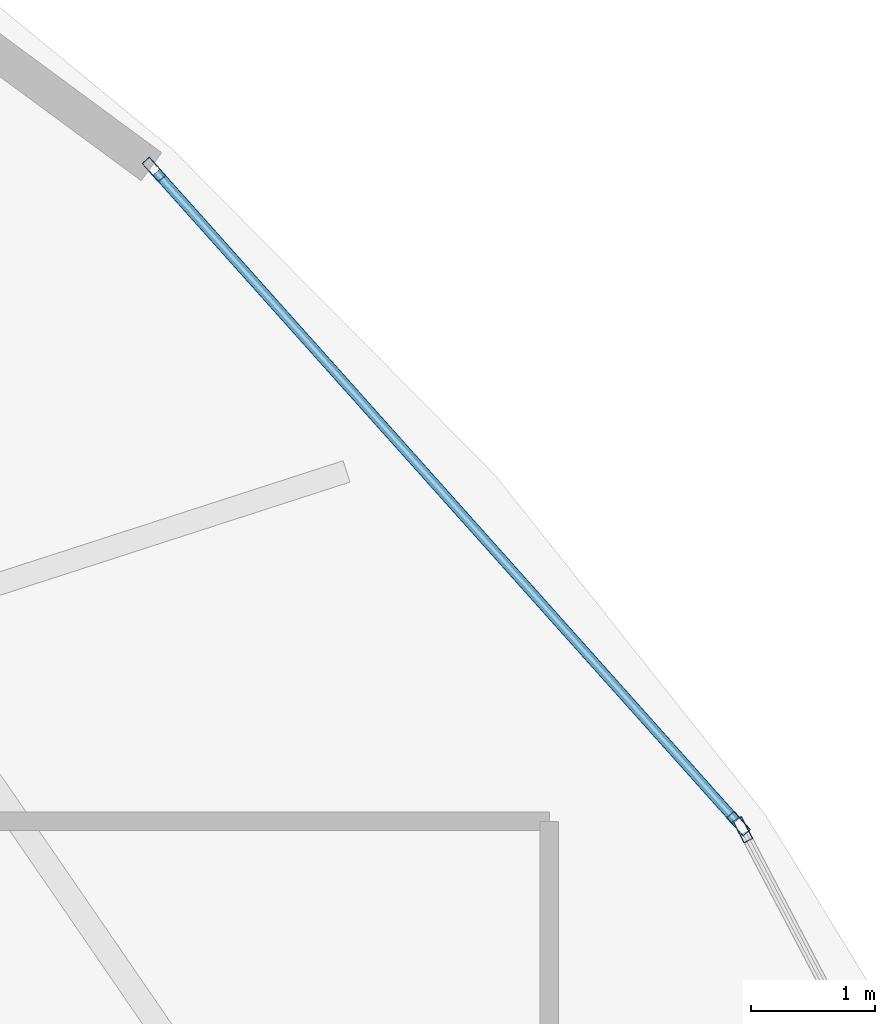
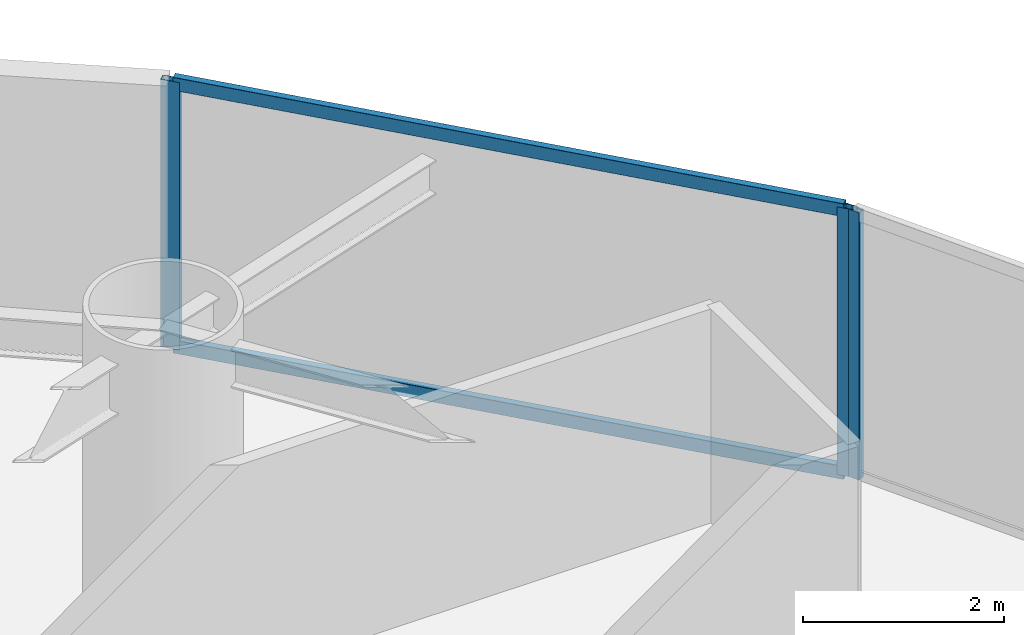
# One storey, part 16 of 25: 5 members, 2 elements without a shape of their own.
"""IFC4 building model written with IfcOpenShell, lengths in metres."""

from ifc_helpers import new_model, si_unit, direction, frame, origin, origin_2d, place, context, subcontext, project, spatial, hollow_rectangle, extrude, material, layer, layer_set, material_profile, profile_set, type_object, element, aggregate, save


model = new_model("IFC4")

# Units and contexts
model_context = context("Model", 3, precision=1e-05, world=origin(), true_north=direction((0.0, 1.0)))
body_context = subcontext(model_context, "Body", "Model", "MODEL_VIEW")
ifc_project = project(units=[si_unit("LENGTHUNIT", "METRE"), si_unit("AREAUNIT", "SQUARE_METRE"), si_unit("VOLUMEUNIT", "CUBIC_METRE"), si_unit("PLANEANGLEUNIT", "RADIAN"), si_unit("MASSUNIT", "GRAM", prefix="KILO")], contexts=[model_context])

# Site, building, storey
site_placement = place(None, origin())
site = spatial("IfcSite", under=ifc_project, at=site_placement, CompositionType="ELEMENT")
building_placement = place(site_placement, origin())
building = spatial("IfcBuilding", under=site, at=building_placement, Name="Bramvorn Convention Spire", CompositionType="ELEMENT")
storey_placement = place(building_placement, frame((0.0, 0.0, 48.39990234375)))
storey = spatial("IfcBuildingStorey", under=building, at=storey_placement, Name="L09", CompositionType="ELEMENT", Elevation=48.39990234375)

# Curtain wall, member
ifc_material_1 = material(Name="Anodised Bronze Unitised Curtain Wall", Category="aluminium")
ifc_layer = layer(ifc_material_1, 0.179931640625)
ifc_layer_set = layer_set([ifc_layer], Name="Anodised Bronze Unitised Curtain Wall - CW-HTL-FRIT")
curtain_wall_type = type_object("IfcCurtainWallType", Name="CW-HTL-FRIT", PredefinedType="USERDEFINED", material=ifc_layer_set)
curtain_wall_1_placement = place(storey_placement, origin())
curtain_wall_1 = element("IfcCurtainWall", 1, at=curtain_wall_1_placement, inside=storey, type_object=curtain_wall_type, Name="L09 fritted glass curtain wall 02", ObjectType="UNITISED CURTAIN WALL", PredefinedType="USERDEFINED")
ifc_material_2 = material(Name="Anodised Bronze Aluminium 6063-T6", Category="aluminium")
ifc_material_profile_1 = material_profile(ifc_material_2, hollow_rectangle(XDim=0.080078125, YDim=0.199951171875, WallThickness=0.00390625, InnerFilletRadius=0.0009765625, OuterFilletRadius=0.00390625, at=origin_2d()))
ifc_profile_set_1 = profile_set([ifc_material_profile_1], Name="Anodised Bronze Aluminium 6063-T6 - CWM80X200")
member_type_1 = type_object("IfcMemberType", Name="CW-MUL-180", PredefinedType="MULLION", material=ifc_profile_set_1)
member_1_placement = place(storey_placement, frame((67.061767578125, 35.282958984375, 0.0), z_axis=(0.0, 0.0, 1.0), x_axis=(0.885625702501, 0.464399736294, 0.0)))
member_1 = element("IfcMember", 2, at=member_1_placement, type_object=member_type_1, Name="CW2 mullion 1", PredefinedType="MULLION", context=body_context, shape_type="SweptSolid", body=[
    extrude(hollow_rectangle(XDim=0.080078125, YDim=0.199951171875, WallThickness=0.00390625, InnerFilletRadius=0.0009765625, OuterFilletRadius=0.00390625, at=origin_2d()), origin(), (0.0, 0.0, 1.0), 3.25),
])
aggregate(curtain_wall_1, [member_1])

# Curtain wall, members
curtain_wall_2_placement = place(storey_placement, origin())
curtain_wall_2 = element("IfcCurtainWall", 3, at=curtain_wall_2_placement, inside=storey, type_object=curtain_wall_type, Name="L09 fritted glass curtain wall 03", ObjectType="UNITISED CURTAIN WALL", PredefinedType="USERDEFINED")
member_2_placement = place(storey_placement, frame((62.30810546875, 40.613037109375, 0.0), z_axis=(0.0, 0.0, 1.0), x_axis=(0.745629312074, 0.666360959973, 0.0)))
member_2 = element("IfcMember", 4, at=member_2_placement, type_object=member_type_1, Name="CW2 mullion 1", PredefinedType="MULLION", context=body_context, shape_type="SweptSolid", body=[
    extrude(hollow_rectangle(XDim=0.080078125, YDim=0.199951171875, WallThickness=0.00390625, InnerFilletRadius=0.0009765625, OuterFilletRadius=0.00390625, at=origin_2d()), origin(), (0.0, 0.0, 1.0), 3.25),
])
member_3_placement = place(storey_placement, frame((67.02783203125, 35.33203125, 0.0), z_axis=(0.0, 0.0, 1.0), x_axis=(0.745629312074, 0.666360959973, 0.0)))
member_3 = element("IfcMember", 5, at=member_3_placement, type_object=member_type_1, Name="CW2 mullion 2", PredefinedType="MULLION", context=body_context, shape_type="SweptSolid", body=[
    extrude(hollow_rectangle(XDim=0.080078125, YDim=0.199951171875, WallThickness=0.00390625, InnerFilletRadius=0.0009765625, OuterFilletRadius=0.00390625, at=origin_2d()), origin(), (0.0, 0.0, 1.0), 3.25),
])
ifc_material_profile_2 = material_profile(ifc_material_2, hollow_rectangle(XDim=0.080078125, YDim=0.159912109375, WallThickness=0.00390625, InnerFilletRadius=0.0009765625, OuterFilletRadius=0.00390625, at=origin_2d()))
ifc_profile_set_2 = profile_set([ifc_material_profile_2], Name="Anodised Bronze Aluminium 6063-T6 - CWT80X160")
member_type_2 = type_object("IfcMemberType", Name="CW-TRN-150", PredefinedType="USERDEFINED", material=ifc_profile_set_2)
member_4_placement = place(storey_placement, frame((62.328125, 40.5908203125, 0.030029296875), z_axis=(0.666346610768, -0.745642135557, 0.0), x_axis=(0.745642135557, 0.666346610768, 0.0)))
member_4 = element("IfcMember", 6, at=member_4_placement, type_object=member_type_2, Name="CW2 transom 1.1", ObjectType="TRANSOM", PredefinedType="USERDEFINED", context=body_context, shape_type="SweptSolid", body=[
    extrude(hollow_rectangle(XDim=0.080078125, YDim=0.159912109375, WallThickness=0.00390625, InnerFilletRadius=0.0009765625, OuterFilletRadius=0.00390625, at=origin_2d()), origin(), (0.0, 0.0, 1.0), 7.02294921875),
])
member_5_placement = place(storey_placement, frame((62.328125, 40.5908203125, 3.22021484375), z_axis=(0.666346610768, -0.745642135557, 0.0), x_axis=(0.745642135557, 0.666346610768, 0.0)))
member_5 = element("IfcMember", 7, at=member_5_placement, type_object=member_type_2, Name="CW2 transom 1.2", ObjectType="TRANSOM", PredefinedType="USERDEFINED", context=body_context, shape_type="SweptSolid", body=[
    extrude(hollow_rectangle(XDim=0.080078125, YDim=0.159912109375, WallThickness=0.00390625, InnerFilletRadius=0.0009765625, OuterFilletRadius=0.00390625, at=origin_2d()), origin(), (0.0, 0.0, 1.0), 7.02294921875),
])
aggregate(curtain_wall_2, [member_2, member_3, member_4, member_5])

save(model, "model.ifc")
